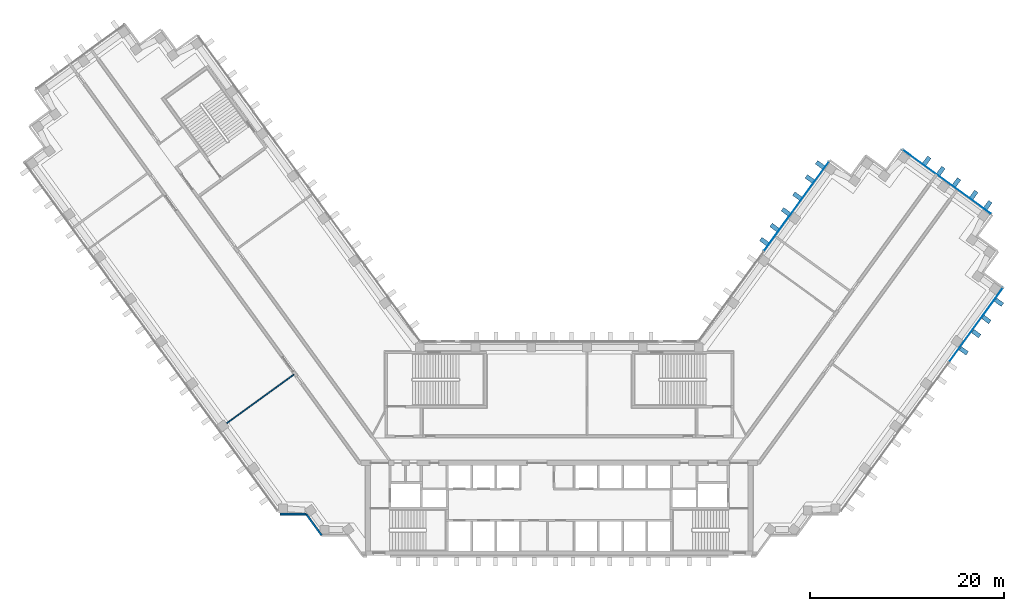
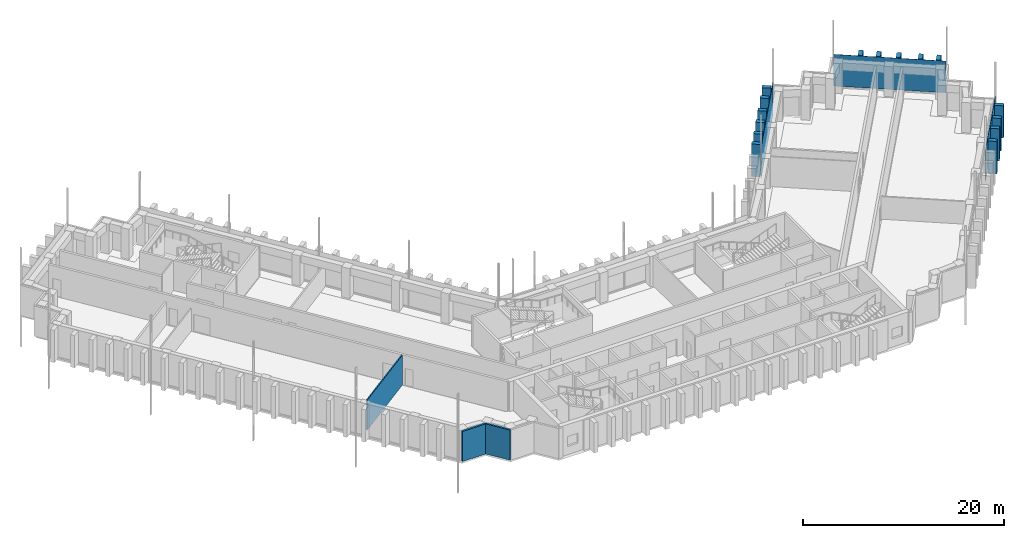
# One storey, part 8 of 16: 18 plates, 3 walls, 3 elements without a shape of their own.
"""IFC4 building model written with IfcOpenShell, lengths in metres."""

from ifc_helpers import new_model, si_unit, direction, frame, frame_2d, origin, origin_2d, place, context, subcontext, project, spatial, rectangle, extrude, material, layer, layer_set, type_object, element, aggregate, save


model = new_model("IFC4")

# Units and contexts
model_context = context("Model", 3, precision=1e-05, world=origin(), true_north=direction((0.0, 1.0)))
body_context = subcontext(model_context, "Body", "Model", "MODEL_VIEW")
ifc_project = project(units=[si_unit("LENGTHUNIT", "METRE"), si_unit("AREAUNIT", "SQUARE_METRE"), si_unit("VOLUMEUNIT", "CUBIC_METRE"), si_unit("PLANEANGLEUNIT", "RADIAN"), si_unit("MASSUNIT", "GRAM", prefix="KILO")], contexts=[model_context])

# Site, building, storey
site_placement = place(None, origin())
site = spatial("IfcSite", under=ifc_project, at=site_placement, CompositionType="ELEMENT")
building_placement = place(site_placement, origin())
building = spatial("IfcBuilding", under=site, at=building_placement, Name="Quipu Civic Tower", CompositionType="ELEMENT")
storey_placement = place(building_placement, frame((0.0, 0.0, 113.0)))
storey = spatial("IfcBuildingStorey", under=building, at=storey_placement, Name="L26", CompositionType="ELEMENT", Elevation=113.0)

# Curtain wall, plate
ifc_material_1 = material(Name="Insulated glass unit", Category="glass")
curtain_wall_type = type_object("IfcCurtainWallType", Name="Office curtain wall CW1", PredefinedType="NOTDEFINED", material=ifc_material_1)
curtain_wall_1_placement = place(storey_placement, origin())
curtain_wall_1 = element("IfcCurtainWall", 1, at=curtain_wall_1_placement, inside=storey, type_object=curtain_wall_type, Name="Office curtain wall CW1 L25 run 23", PredefinedType="NOTDEFINED")
ifc_material_2 = material(Name="Insulated glass unit", Category="glass")
ifc_layer_1 = layer(ifc_material_2, 0.028076171875)
ifc_layer_set_1 = layer_set([ifc_layer_1], Name="Insulated glass unit")
plate_type_1 = type_object("IfcPlateType", Name="Glass panel CW1", PredefinedType="CURTAIN_PANEL", material=ifc_layer_set_1)
plate_1_placement = place(storey_placement, frame((43.038818359375, 12.82568359375, 0.16015625), z_axis=(0.0, 0.0, 1.0), x_axis=(0.587785375786, 0.809016904652, 0.0)))
plate_1 = element("IfcPlate", 2, at=plate_1_placement, type_object=plate_type_1, Name="CW1 panel 3.2", PredefinedType="CURTAIN_PANEL", context=body_context, shape_type="SweptSolid", body=[
    extrude(rectangle(XDim=9.403564453125, YDim=0.028076171875, at=origin_2d()), origin(), (0.0, 0.0, 1.0), 3.840087890625),
])
aggregate(curtain_wall_1, [plate_1])

curtain_wall_2_placement = place(storey_placement, origin())
curtain_wall_2 = element("IfcCurtainWall", 3, at=curtain_wall_2_placement, inside=storey, type_object=curtain_wall_type, Name="Office curtain wall CW1 L25 run 25", PredefinedType="NOTDEFINED")
plate_2_placement = place(storey_placement, frame((40.04345703125, 27.58740234375, 0.16015625), z_axis=(0.0, 0.0, 1.0), x_axis=(-0.809015176832, 0.587787753918, 0.0)))
plate_2 = element("IfcPlate", 4, at=plate_2_placement, type_object=plate_type_1, Name="CW1 panel 1.2", PredefinedType="CURTAIN_PANEL", context=body_context, shape_type="SweptSolid", body=[
    extrude(rectangle(XDim=11.239990234375, YDim=0.028076171875, at=origin_2d()), origin(), (0.0, 0.0, 1.0), 3.840087890625),
])
aggregate(curtain_wall_2, [plate_2])

curtain_wall_3_placement = place(storey_placement, origin())
curtain_wall_3 = element("IfcCurtainWall", 5, at=curtain_wall_3_placement, inside=storey, type_object=curtain_wall_type, Name="Office curtain wall CW1 L25 run 30", PredefinedType="NOTDEFINED")
plate_3_placement = place(storey_placement, frame((24.491455078125, 25.066162109375, 0.16015625), z_axis=(0.0, 0.0, 1.0), x_axis=(-0.587788727052, -0.809014469803, 0.0)))
plate_3 = element("IfcPlate", 6, at=plate_3_placement, type_object=plate_type_1, Name="CW1 panel 1.2", PredefinedType="CURTAIN_PANEL", context=body_context, shape_type="SweptSolid", body=[
    extrude(rectangle(XDim=11.402099609375, YDim=0.028076171875, at=origin_2d()), origin(), (0.0, 0.0, 1.0), 3.840087890625),
])
aggregate(curtain_wall_3, [plate_3])

# Plates
ifc_material_3 = material(Name="Precast concrete C40/50", Category="concrete")
plate_type_2 = type_object("IfcPlateType", Name="Precast fin F1", PredefinedType="SHEET", material=ifc_material_3)
for number, where, z_axis, x_axis, name in (
    (7, (41.770263671875, 10.14404296875, 0.080078125), (0.0, 0.0, 1.0), (0.587785620359, 0.809016726959, 0.0), "Precast fin F1 L26.P27.11"),
    (8, (43.063232421875, 11.923828125, 0.080078125), (0.0, 0.0, 1.0), (0.587785620359, 0.809016726959, 0.0), "Precast fin F1 L26.P27.12"),
    (9, (44.121337890625, 13.380126953125, 0.080078125), (0.0, 0.0, 1.0), (0.587785620359, 0.809016726959, 0.0), "Precast fin F1 L26.P27.13"),
    (10, (45.41455078125, 15.159912109375, 0.080078125), (0.0, 0.0, 1.0), (0.587785620359, 0.809016726959, 0.0), "Precast fin F1 L26.P27.14"),
    (11, (44.270263671875, 25.1962890625, 0.080078125), (0.0, 0.0, 1.0), (-0.809017072762, 0.587785144401, 0.0), "Precast fin F1 L26.P29.1"),
    (12, (42.81396484375, 26.25439453125, 0.080078125), (0.0, 0.0, 1.0), (-0.809017072762, 0.587785144401, 0.0), "Precast fin F1 L26.P29.2"),
    (13, (41.0341796875, 27.547607421875, 0.080078125), (0.0, 0.0, 1.0), (-0.809017072762, 0.587785144401, 0.0), "Precast fin F1 L26.P29.3"),
    (14, (39.416259765625, 28.72314453125, 0.080078125), (0.0, 0.0, 1.0), (-0.809017072762, 0.587785144401, 0.0), "Precast fin F1 L26.P29.4"),
    (15, (37.9599609375, 29.781005859375, 0.080078125), (0.0, 0.0, 1.0), (-0.809017072762, 0.587785144401, 0.0), "Precast fin F1 L26.P29.5"),
    (16, (26.93017578125, 29.358642578125, 0.080078125), (0.0, 0.0, 1.0), (-0.587787133119, -0.809015627871, 0.0), "Precast fin F1 L26.P34.1"),
    (17, (25.8720703125, 27.90234375, 0.080078125), (0.0, 0.0, 1.0), (-0.587787133119, -0.809015627871, 0.0), "Precast fin F1 L26.P34.2"),
    (18, (24.578857421875, 26.12255859375, 0.080078125), (0.0, 0.0, 1.0), (-0.587787133119, -0.809015627871, 0.0), "Precast fin F1 L26.P34.3"),
    (19, (23.4033203125, 24.50439453125, 0.080078125), (0.0, 0.0, 1.0), (-0.587787133119, -0.809015627871, 0.0), "Precast fin F1 L26.P34.4"),
    (20, (22.227783203125, 22.886474609375, 0.080078125), (0.0, 0.0, 1.0), (-0.587787133119, -0.809015627871, 0.0), "Precast fin F1 L26.P34.5"),
    (21, (21.169677734375, 21.43017578125, 0.080078125), (0.0, 0.0, 1.0), (-0.587787133119, -0.809015627871, 0.0), "Precast fin F1 L26.P34.6"),
):
    element("IfcPlate", number, at=place(storey_placement, frame(where, z_axis=z_axis, x_axis=x_axis)), inside=storey, type_object=plate_type_2, Name=name, PredefinedType="SHEET", context=body_context, shape_type="SweptSolid", body=[
        extrude(rectangle(XDim=0.449951171875, YDim=0.89990234375, at=origin_2d()), origin(), (0.0, 0.0, 1.0), 3.919921875),
    ])

# Walls
ifc_material_4 = material(Name="Gypsum plasterboard on light gauge framing")
ifc_layer_2 = layer(ifc_material_4, 0.1201171875)
ifc_layer_set_2 = layer_set([ifc_layer_2], Name="Gypsum plasterboard on light gauge framing")
wall_type_1 = type_object("IfcWallType", Name="Partition 120 plasterboard", PredefinedType="PARTITIONING", material=ifc_layer_set_2)
wall_1_placement = place(storey_placement, frame((-27.38916015625, 7.702880859375, 0.0), z_axis=(0.0, 0.0, 1.0), x_axis=(-0.809052894195, -0.587735837256, 0.0)))
element("IfcWall", 22, at=wall_1_placement, inside=storey, type_object=wall_type_1, Name="Partition P04", PredefinedType="PARTITIONING", context=body_context, shape_type="SweptSolid", body=[
    extrude(rectangle(XDim=8.594482421875, YDim=0.1201171875, at=frame_2d((4.29736328125, 0.0))), origin(), (0.0, 0.0, 1.0), 3.64990234375),
])
ifc_material_5 = material(Name="Precast concrete C40/50", Category="concrete")
wall_type_2 = type_object("IfcWallType", Name="Precast cladding wall", PredefinedType="SOLIDWALL", material=ifc_material_5)
wall_2_placement = place(storey_placement, frame((-28.829833984375, -6.71923828125, 0.0), z_axis=(0.0, 0.0, 1.0), x_axis=(1.0, 0.0, 0.0)))
element("IfcWall", 23, at=wall_2_placement, inside=storey, type_object=wall_type_2, Name="Precast cladding wall L26 P15", PredefinedType="SOLIDWALL", context=body_context, shape_type="SweptSolid", body=[
    extrude(rectangle(XDim=2.699951171875, YDim=0.199951171875, at=frame_2d((1.35009765625, 0.0))), origin(), (0.0, 0.0, 1.0), 3.64990234375),
])
wall_3_placement = place(storey_placement, frame((-26.1201171875, -6.72412109375, 0.0), z_axis=(0.0, 0.0, 1.0), x_axis=(0.587720002413, -0.809064397168, 0.0)))
element("IfcWall", 24, at=wall_3_placement, inside=storey, type_object=wall_type_2, Name="Precast cladding wall L26 P16", PredefinedType="SOLIDWALL", context=body_context, shape_type="SweptSolid", body=[
    extrude(rectangle(XDim=2.7001953125, YDim=0.199951171875, at=frame_2d((1.35009765625, 0.0))), origin(), (0.0, 0.0, 1.0), 3.64990234375),
])

save(model, "model.ifc")
